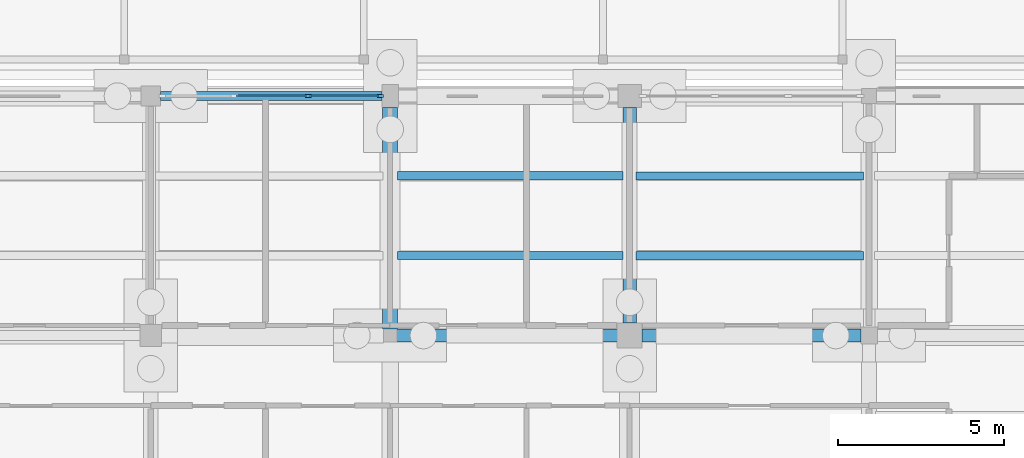
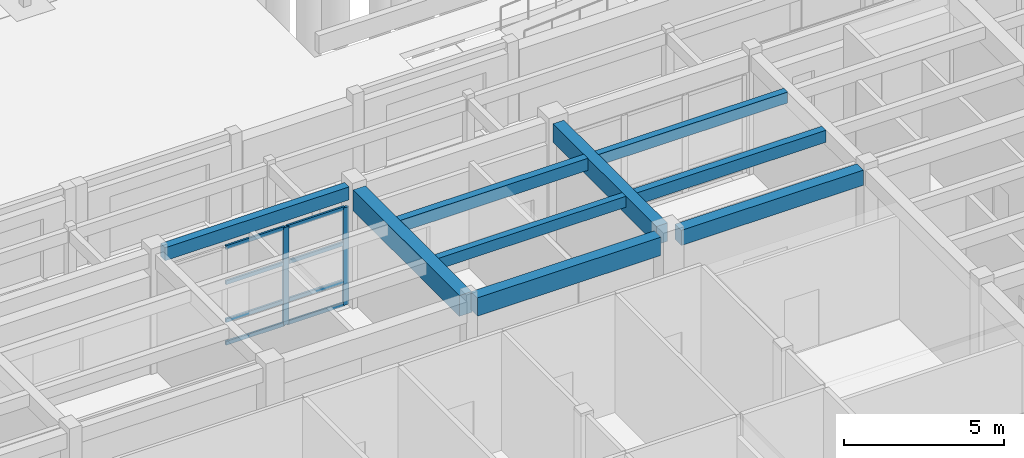
# One storey, part 46 of 143: 10 members, 9 beams, 1 element without a shape of its own.
"""IFC4 building model written with IfcOpenShell, lengths in metres."""

from ifc_helpers import new_model, si_unit, direction, frame, origin, origin_2d, place, context, subcontext, project, spatial, rectangle, extrude, material, material_profile, profile_set, type_object, element, aggregate, save


model = new_model("IFC4")

# Units and contexts
model_context = context("Model", 3, precision=1e-05, world=origin(), true_north=direction((0.0, 1.0)))
body_context = subcontext(model_context, "Body", "Model", "MODEL_VIEW")
ifc_project = project(units=[si_unit("LENGTHUNIT", "METRE"), si_unit("AREAUNIT", "SQUARE_METRE"), si_unit("VOLUMEUNIT", "CUBIC_METRE"), si_unit("PLANEANGLEUNIT", "RADIAN"), si_unit("MASSUNIT", "GRAM", prefix="KILO")], contexts=[model_context])

# Site, building, storey
site_placement = place(None, origin())
site = spatial("IfcSite", under=ifc_project, at=site_placement, CompositionType="ELEMENT")
building_placement = place(site_placement, origin())
building = spatial("IfcBuilding", under=site, at=building_placement, Name="Steenspoor Specialist Clinic", CompositionType="ELEMENT")
storey_placement = place(building_placement, origin())
storey = spatial("IfcBuildingStorey", under=building, at=storey_placement, Name="L00", CompositionType="ELEMENT", Elevation=0.0)

# Beams
ifc_material_1 = material(Name="Concrete C35/45", Category="concrete")
ifc_material_profile_1 = material_profile(ifc_material_1, rectangle(XDim=0.39990234375, YDim=0.580078125, at=origin_2d()), Name="RC-BM-400X580")
ifc_profile_set_1 = profile_set([ifc_material_profile_1], Name="Concrete C35/45")
beam_type_1 = type_object("IfcBeamType", Name="BM-RC-400X580", PredefinedType="BEAM", material=ifc_profile_set_1)
beam_1_placement = place(storey_placement, frame((95.969970703125, 34.64990234375, 4.260009765625), z_axis=(1.0, 0.0, 0.0), x_axis=(0.0, 1.0, 0.0)))
element("IfcBeam", 1, at=beam_1_placement, inside=storey, type_object=beam_type_1, Name="BM-V1-L00-X0027", PredefinedType="BEAM", context=body_context, shape_type="SweptSolid", body=[
    extrude(rectangle(XDim=0.39990234375, YDim=0.580078125, at=origin_2d()), origin(), (0.0, 0.0, 1.0), 6.5849609375),
])
ifc_material_profile_2 = material_profile(ifc_material_1, rectangle(XDim=0.39990234375, YDim=0.699951171875, at=origin_2d()), Name="RC-BM-400X700")
ifc_profile_set_2 = profile_set([ifc_material_profile_2], Name="Concrete C35/45")
beam_type_2 = type_object("IfcBeamType", Name="BM-RC-400X700", PredefinedType="BEAM", material=ifc_profile_set_2)
beam_2_placement = place(storey_placement, frame((88.594970703125, 34.64990234375, 4.199951171875), z_axis=(1.0, 0.0, 0.0), x_axis=(0.0, 1.0, 0.0)))
element("IfcBeam", 2, at=beam_2_placement, inside=storey, type_object=beam_type_2, Name="BM-V1-L00-X0026", PredefinedType="BEAM", context=body_context, shape_type="SweptSolid", body=[
    extrude(rectangle(XDim=0.39990234375, YDim=0.699951171875, at=origin_2d()), origin(), (0.0, 0.0, 1.0), 6.635009765625),
])
beam_3_placement = place(storey_placement, frame((95.60009765625, 35.02001953125, 4.199951171875), z_axis=(0.0, 1.0, 0.0), x_axis=(-1.0, 0.0, 0.0)))
element("IfcBeam", 3, at=beam_3_placement, inside=storey, type_object=beam_type_2, Name="BM-V1-L00-Y0059", PredefinedType="BEAM", context=body_context, shape_type="SweptSolid", body=[
    extrude(rectangle(XDim=0.39990234375, YDim=0.699951171875, at=origin_2d()), origin(), (0.0, 0.0, 1.0), 6.48486328125),
])
ifc_material_profile_3 = material_profile(ifc_material_1, rectangle(XDim=0.449951171875, YDim=0.800048828125, at=origin_2d()), Name="RC-BM-450X800")
ifc_profile_set_3 = profile_set([ifc_material_profile_3], Name="Concrete C35/45")
beam_type_3 = type_object("IfcBeamType", Name="BM-RC-450X800", PredefinedType="BEAM", material=ifc_profile_set_3)
beam_4_placement = place(storey_placement, frame((88.39990234375, 34.844970703125, 4.14990234375), z_axis=(0.0, 1.0, 0.0), x_axis=(-1.0, 0.0, 0.0)))
element("IfcBeam", 4, at=beam_4_placement, inside=storey, type_object=beam_type_3, Name="BM-V1-L00-Y0057", PredefinedType="BEAM", context=body_context, shape_type="SweptSolid", body=[
    extrude(rectangle(XDim=0.449951171875, YDim=0.800048828125, at=origin_2d()), origin(), (0.0, 0.0, 1.0), 6.659912109375),
])

# Curtain wall, members
ifc_material_2 = material(Name="Thermally broken aluminium and low-emissivity glass", Category="aluminium")
curtain_wall_type = type_object("IfcCurtainWallType", Name="CW-TYP-540X355", PredefinedType="USERDEFINED", material=ifc_material_2)
curtain_wall_placement = place(storey_placement, origin())
curtain_wall = element("IfcCurtainWall", 5, at=curtain_wall_placement, inside=storey, type_object=curtain_wall_type, Name="Unitised Curtain Wall CW-V1-L00-011", ObjectType="UNITISED GLAZING", PredefinedType="USERDEFINED")
ifc_material_3 = material(Name="Thermally broken aluminium 6063-T6", Category="aluminium")
ifc_material_profile_4 = material_profile(ifc_material_3, rectangle(XDim=0.090087890625, YDim=0.199951171875, at=origin_2d()), Name="CWM-90X200")
ifc_profile_set_4 = profile_set([ifc_material_profile_4], Name="Thermally broken aluminium 6063-T6")
member_type_1 = type_object("IfcMemberType", Name="CW-MULL-90X200", PredefinedType="MULLION", material=ifc_profile_set_4)
member_1_placement = place(storey_placement, frame((85.933349609375, 41.85009765625, 0.0), z_axis=(0.0, 0.0, 1.0), x_axis=(0.0, 1.0, 0.0)))
member_1 = element("IfcMember", 6, at=member_1_placement, type_object=member_type_1, Name="CW-11 mullion 3", PredefinedType="MULLION", context=body_context, shape_type="SweptSolid", body=[
    extrude(rectangle(XDim=0.090087890625, YDim=0.199951171875, at=origin_2d()), origin(), (0.0, 0.0, 1.0), 3.72998046875),
])
member_2_placement = place(storey_placement, frame((88.10498046875, 41.85009765625, 0.0), z_axis=(0.0, 0.0, 1.0), x_axis=(0.0, 1.0, 0.0)))
member_2 = element("IfcMember", 7, at=member_2_placement, type_object=member_type_1, Name="CW-11 mullion 4", PredefinedType="MULLION", context=body_context, shape_type="SweptSolid", body=[
    extrude(rectangle(XDim=0.090087890625, YDim=0.199951171875, at=origin_2d()), origin(), (0.0, 0.0, 1.0), 3.72998046875),
])
ifc_material_profile_5 = material_profile(ifc_material_3, rectangle(XDim=0.070068359375, YDim=0.14501953125, at=origin_2d()), Name="CWT-70X145")
ifc_profile_set_5 = profile_set([ifc_material_profile_5], Name="Thermally broken aluminium 6063-T6")
member_type_2 = type_object("IfcMemberType", Name="CW-TRAN-70X145", PredefinedType="USERDEFINED", material=ifc_profile_set_5)
member_3_placement = place(storey_placement, frame((83.76171875, 41.85009765625, 0.034912109375), z_axis=(1.0, 0.0, 0.0), x_axis=(0.0, 1.0, 0.0)))
member_3 = element("IfcMember", 8, at=member_3_placement, type_object=member_type_2, Name="CW-11 transom 2.1", ObjectType="TRANSOM", PredefinedType="USERDEFINED", context=body_context, shape_type="SweptSolid", body=[
    extrude(rectangle(XDim=0.070068359375, YDim=0.14501953125, at=origin_2d()), origin(), (0.0, 0.0, 1.0), 2.126708984375),
])
member_4_placement = place(storey_placement, frame((83.76171875, 41.85009765625, 0.89990234375), z_axis=(1.0, 0.0, 0.0), x_axis=(0.0, 1.0, 0.0)))
member_4 = element("IfcMember", 9, at=member_4_placement, type_object=member_type_2, Name="CW-11 transom 2.2", ObjectType="TRANSOM", PredefinedType="USERDEFINED", context=body_context, shape_type="SweptSolid", body=[
    extrude(rectangle(XDim=0.070068359375, YDim=0.14501953125, at=origin_2d()), origin(), (0.0, 0.0, 1.0), 2.126708984375),
])
member_5_placement = place(storey_placement, frame((83.76171875, 41.85009765625, 2.35009765625), z_axis=(1.0, 0.0, 0.0), x_axis=(0.0, 1.0, 0.0)))
member_5 = element("IfcMember", 10, at=member_5_placement, type_object=member_type_2, Name="CW-11 transom 2.3", ObjectType="TRANSOM", PredefinedType="USERDEFINED", context=body_context, shape_type="SweptSolid", body=[
    extrude(rectangle(XDim=0.070068359375, YDim=0.14501953125, at=origin_2d()), origin(), (0.0, 0.0, 1.0), 2.126708984375),
])
member_6_placement = place(storey_placement, frame((83.76171875, 41.85009765625, 3.695068359375), z_axis=(1.0, 0.0, 0.0), x_axis=(0.0, 1.0, 0.0)))
member_6 = element("IfcMember", 11, at=member_6_placement, type_object=member_type_2, Name="CW-11 transom 2.4", ObjectType="TRANSOM", PredefinedType="USERDEFINED", context=body_context, shape_type="SweptSolid", body=[
    extrude(rectangle(XDim=0.070068359375, YDim=0.14501953125, at=origin_2d()), origin(), (0.0, 0.0, 1.0), 2.126708984375),
])
member_7_placement = place(storey_placement, frame((85.978271484375, 41.85009765625, 0.034912109375), z_axis=(1.0, 0.0, 0.0), x_axis=(0.0, 1.0, 0.0)))
member_7 = element("IfcMember", 12, at=member_7_placement, type_object=member_type_2, Name="CW-11 transom 3.1", ObjectType="TRANSOM", PredefinedType="USERDEFINED", context=body_context, shape_type="SweptSolid", body=[
    extrude(rectangle(XDim=0.070068359375, YDim=0.14501953125, at=origin_2d()), origin(), (0.0, 0.0, 1.0), 2.081787109375),
])
member_8_placement = place(storey_placement, frame((85.978271484375, 41.85009765625, 0.89990234375), z_axis=(1.0, 0.0, 0.0), x_axis=(0.0, 1.0, 0.0)))
member_8 = element("IfcMember", 13, at=member_8_placement, type_object=member_type_2, Name="CW-11 transom 3.2", ObjectType="TRANSOM", PredefinedType="USERDEFINED", context=body_context, shape_type="SweptSolid", body=[
    extrude(rectangle(XDim=0.070068359375, YDim=0.14501953125, at=origin_2d()), origin(), (0.0, 0.0, 1.0), 2.081787109375),
])
member_9_placement = place(storey_placement, frame((85.978271484375, 41.85009765625, 2.35009765625), z_axis=(1.0, 0.0, 0.0), x_axis=(0.0, 1.0, 0.0)))
member_9 = element("IfcMember", 14, at=member_9_placement, type_object=member_type_2, Name="CW-11 transom 3.3", ObjectType="TRANSOM", PredefinedType="USERDEFINED", context=body_context, shape_type="SweptSolid", body=[
    extrude(rectangle(XDim=0.070068359375, YDim=0.14501953125, at=origin_2d()), origin(), (0.0, 0.0, 1.0), 2.081787109375),
])
member_10_placement = place(storey_placement, frame((85.978271484375, 41.85009765625, 3.695068359375), z_axis=(1.0, 0.0, 0.0), x_axis=(0.0, 1.0, 0.0)))
member_10 = element("IfcMember", 15, at=member_10_placement, type_object=member_type_2, Name="CW-11 transom 3.4", ObjectType="TRANSOM", PredefinedType="USERDEFINED", context=body_context, shape_type="SweptSolid", body=[
    extrude(rectangle(XDim=0.070068359375, YDim=0.14501953125, at=origin_2d()), origin(), (0.0, 0.0, 1.0), 2.081787109375),
])
aggregate(curtain_wall, [member_1, member_2, member_3, member_4, member_5, member_6, member_7, member_8, member_9, member_10])

# Beams
ifc_material_profile_6 = material_profile(ifc_material_1, rectangle(XDim=0.239990234375, YDim=0.419921875, at=origin_2d()), Name="RC-JT-240X420")
ifc_profile_set_6 = profile_set([ifc_material_profile_6], Name="Concrete C35/45")
beam_type_4 = type_object("IfcBeamType", Name="JT-RC-240X420", PredefinedType="JOIST", material=ifc_profile_set_6)
beam_5_placement = place(storey_placement, frame((88.6201171875, 37.050048828125, 4.340087890625), z_axis=(1.0, 0.0, 0.0), x_axis=(0.0, 1.0, 0.0)))
element("IfcBeam", 16, at=beam_5_placement, inside=storey, type_object=beam_type_4, Name="JT-V1-L00-0097", PredefinedType="JOIST", context=body_context, shape_type="SweptSolid", body=[
    extrude(rectangle(XDim=0.239990234375, YDim=0.419921875, at=origin_2d()), origin(), (0.0, 0.0, 1.0), 6.784912109375),
])
beam_6_placement = place(storey_placement, frame((95.794921875, 39.449951171875, 4.340087890625), z_axis=(1.0, 0.0, 0.0), x_axis=(0.0, 1.0, 0.0)))
element("IfcBeam", 17, at=beam_6_placement, inside=storey, type_object=beam_type_4, Name="JT-V1-L00-0102", PredefinedType="JOIST", context=body_context, shape_type="SweptSolid", body=[
    extrude(rectangle(XDim=0.239990234375, YDim=0.419921875, at=origin_2d()), origin(), (0.0, 0.0, 1.0), 6.8349609375),
])
ifc_material_profile_7 = material_profile(ifc_material_1, rectangle(XDim=0.260009765625, YDim=0.4599609375, at=origin_2d()), Name="RC-JT-260X460")
ifc_profile_set_7 = profile_set([ifc_material_profile_7], Name="Concrete C35/45")
beam_type_5 = type_object("IfcBeamType", Name="JT-RC-260X460", PredefinedType="JOIST", material=ifc_profile_set_7)
beam_7_placement = place(storey_placement, frame((88.6201171875, 39.449951171875, 4.320068359375), z_axis=(1.0, 0.0, 0.0), x_axis=(0.0, 1.0, 0.0)))
element("IfcBeam", 18, at=beam_7_placement, inside=storey, type_object=beam_type_5, Name="JT-V1-L00-0098", PredefinedType="JOIST", context=body_context, shape_type="SweptSolid", body=[
    extrude(rectangle(XDim=0.260009765625, YDim=0.4599609375, at=origin_2d()), origin(), (0.0, 0.0, 1.0), 6.784912109375),
])
beam_8_placement = place(storey_placement, frame((95.794921875, 37.050048828125, 4.320068359375), z_axis=(1.0, 0.0, 0.0), x_axis=(0.0, 1.0, 0.0)))
element("IfcBeam", 19, at=beam_8_placement, inside=storey, type_object=beam_type_5, Name="JT-V1-L00-0101", PredefinedType="JOIST", context=body_context, shape_type="SweptSolid", body=[
    extrude(rectangle(XDim=0.260009765625, YDim=0.4599609375, at=origin_2d()), origin(), (0.0, 0.0, 1.0), 6.8349609375),
])
ifc_material_profile_8 = material_profile(ifc_material_1, rectangle(XDim=0.280029296875, YDim=0.5, at=origin_2d()), Name="RC-SP-280X500")
ifc_profile_set_8 = profile_set([ifc_material_profile_8], Name="Concrete C35/45")
beam_type_6 = type_object("IfcBeamType", Name="SP-RC-280X500", PredefinedType="SPANDREL", material=ifc_profile_set_8)
beam_9_placement = place(storey_placement, frame((81.4951171875, 41.85009765625, 4.300048828125), z_axis=(1.0, 0.0, 0.0), x_axis=(0.0, 1.0, 0.0)))
element("IfcBeam", 20, at=beam_9_placement, inside=storey, type_object=beam_type_6, Name="BM-V1-L00-X0035", PredefinedType="SPANDREL", context=body_context, shape_type="SweptSolid", body=[
    extrude(rectangle(XDim=0.280029296875, YDim=0.5, at=origin_2d()), origin(), (0.0, 0.0, 1.0), 6.659912109375),
])

save(model, "model.ifc")
